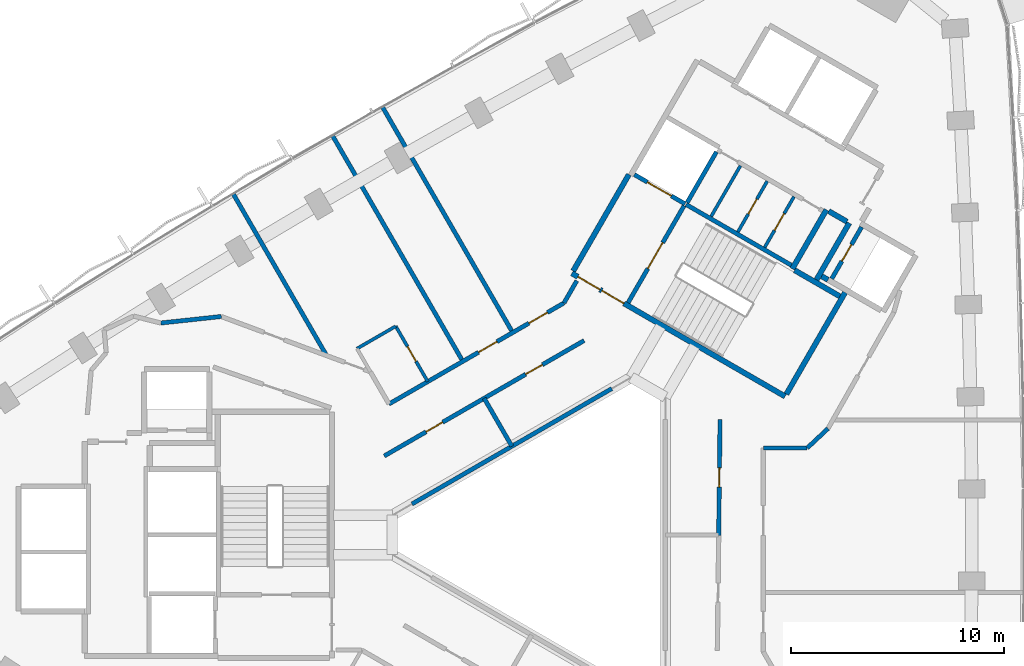
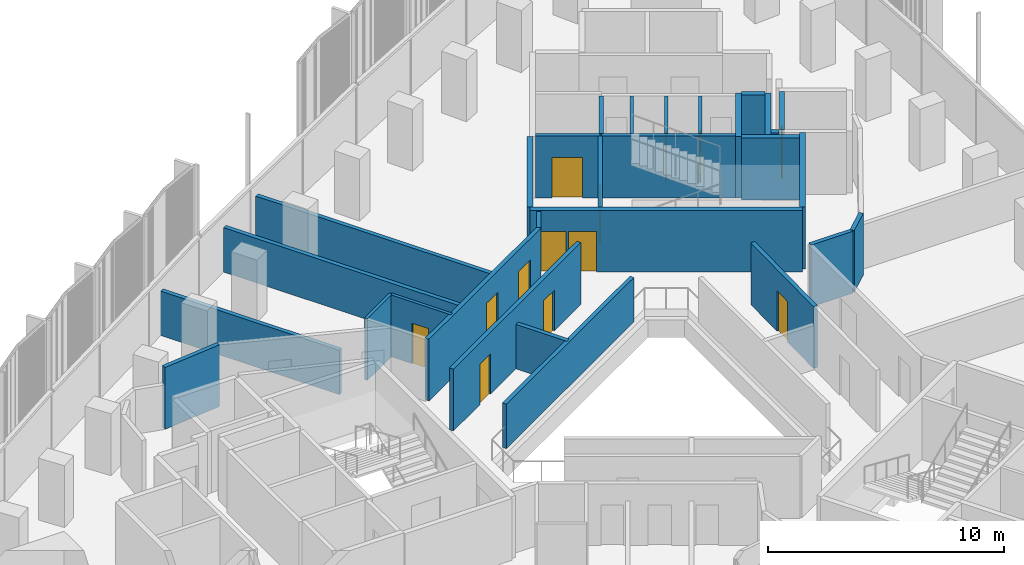
# One storey, part 10 of 14: 30 walls, 13 doors, 13 openings.
"""IFC4 building model written with IfcOpenShell, lengths in metres."""

from ifc_helpers import new_model, si_unit, direction, frame, frame_2d, origin, place, context, subcontext, project, spatial, rectangle, extrude, material, layer, layer_set, type_object, element, fill, save


model = new_model("IFC4")

# Units and contexts
model_context = context("Model", 3, precision=1e-05, world=origin(), true_north=direction((0.0, 1.0)))
body_context = subcontext(model_context, "Body", "Model", "MODEL_VIEW")
ifc_project = project(units=[si_unit("LENGTHUNIT", "METRE"), si_unit("AREAUNIT", "SQUARE_METRE"), si_unit("VOLUMEUNIT", "CUBIC_METRE"), si_unit("PLANEANGLEUNIT", "RADIAN"), si_unit("MASSUNIT", "GRAM", prefix="KILO")], contexts=[model_context])

# Site, building, storey
site_placement = place(None, origin())
site = spatial("IfcSite", under=ifc_project, at=site_placement, CompositionType="ELEMENT")
building_placement = place(site_placement, origin())
building = spatial("IfcBuilding", under=site, at=building_placement, Name="Tamra Quay Hotel Tower", CompositionType="ELEMENT")
storey_placement = place(building_placement, frame((0.0, 0.0, 139.60009765625)))
storey = spatial("IfcBuildingStorey", under=building, at=storey_placement, Name="L34", CompositionType="ELEMENT", Elevation=139.60009765625)

# Wall
ifc_material_1 = material(Name="Concrete M70", Category="concrete")
ifc_layer_1 = layer(ifc_material_1, 0.199951171875)
ifc_layer_set_1 = layer_set([ifc_layer_1], Name="Concrete M70 core wall 200")
wall_type_1 = type_object("IfcWallType", Name="Concrete M70 core wall 200", PredefinedType="SHEAR", material=ifc_layer_set_1)
wall_1_placement = place(storey_placement, frame((5.774658203125, 15.501953125, 0.0), z_axis=(0.0, 0.0, 1.0), x_axis=(0.866020080793, -0.500009219579, 0.0)))
element("IfcWall", 1, at=wall_1_placement, inside=storey, type_object=wall_type_1, Name="CW2", PredefinedType="SHEAR", context=body_context, shape_type="SweptSolid", body=[
    extrude(rectangle(XDim=5.69921875, YDim=0.199951171875, at=frame_2d((2.849609375, 0.0))), origin(), (0.0, 0.0, 1.0), 3.199951171875),
])

# Wall, opening, door
wall_2_placement = place(storey_placement, frame((3.056640625, 10.89453125, 0.0), z_axis=(0.0, 0.0, 1.0), x_axis=(0.499989418164, 0.866031513124, 0.0)))
wall_2 = element("IfcWall", 2, at=wall_2_placement, inside=storey, type_object=wall_type_1, Name="CW2", PredefinedType="SHEAR", context=body_context, shape_type="SweptSolid", body=[
    extrude(rectangle(XDim=5.2509765625, YDim=0.199951171875, at=frame_2d((2.62548828125, 0.0))), origin(), (0.0, 0.0, 1.0), 3.199951171875),
])
opening_1_placement = place(wall_2_placement, frame((1.84912109375, 0.0, 0.0)))
opening_1 = element("IfcOpeningElement", 3, at=opening_1_placement, cuts=wall_2, Name="Opening FD2", PredefinedType="OPENING", context=body_context, shape_type="SweptSolid", body=[
    extrude(rectangle(XDim=1.39990234375, YDim=2.10009765625, at=frame_2d((0.699951171875, 1.050048828125))), frame((0.0, 0.10986328125, 0.0), z_axis=(0.0, -1.0, 0.0), x_axis=(1.0, 0.0, 0.0)), (0.0, 0.0, 1.0), 0.219970703125),
])
ifc_material_2 = material(Name="Core door FD2 1400x2100 RH")
door_type_1 = type_object("IfcDoorType", Name="Core door FD2 1400x2100 RH", OperationType="NOTDEFINED", PredefinedType="DOOR", material=ifc_material_2)
door_1_placement = place(opening_1_placement, origin())
door_1 = element("IfcDoor", 4, at=door_1_placement, inside=storey, type_object=door_type_1, Name="FD2", OperationType="SINGLE_SWING_RIGHT", OverallHeight=2.10009765625, OverallWidth=1.39990234375, PredefinedType="DOOR", context=body_context, shape_type="SweptSolid", body=[
    extrude(rectangle(XDim=1.39990234375, YDim=2.10009765625, at=frame_2d((0.699951171875, 1.050048828125))), frame((0.0, 0.02490234375, 0.0), z_axis=(0.0, -1.0, 0.0), x_axis=(1.0, 0.0, 0.0)), (0.0, 0.0, 1.0), 0.050048828125),
])
fill(opening_1, door_1)

wall_3_placement = place(storey_placement, frame((14.0078125, 14.442138671875, 0.0), z_axis=(0.0, 0.0, 1.0), x_axis=(-0.499986818241, -0.866033014143, 0.0)))
wall_3 = element("IfcWall", 5, at=wall_3_placement, inside=storey, type_object=wall_type_1, Name="CW2", PredefinedType="SHEAR", context=body_context, shape_type="SweptSolid", body=[
    extrude(rectangle(XDim=2.7978515625, YDim=0.199951171875, at=frame_2d((1.39892578125, 0.0))), origin(), (0.0, 0.0, 1.0), 3.199951171875),
])
opening_2_placement = place(wall_3_placement, frame((0.948974609375, 0.0, 0.0)))
opening_2 = element("IfcOpeningElement", 6, at=opening_2_placement, cuts=wall_3, Name="Opening D1", PredefinedType="OPENING", context=body_context, shape_type="SweptSolid", body=[
    extrude(rectangle(XDim=0.89990234375, YDim=2.10009765625, at=frame_2d((0.449951171875, 1.050048828125))), frame((0.0, 0.10986328125, 0.0), z_axis=(0.0, -1.0, 0.0), x_axis=(1.0, 0.0, 0.0)), (0.0, 0.0, 1.0), 0.219970703125),
])
ifc_material_3 = material(Name="Core door D1 900x2100 LH")
door_type_2 = type_object("IfcDoorType", Name="Core door D1 900x2100 LH", OperationType="NOTDEFINED", PredefinedType="DOOR", material=ifc_material_3)
door_2_placement = place(opening_2_placement, origin())
door_2 = element("IfcDoor", 7, at=door_2_placement, inside=storey, type_object=door_type_2, Name="D1", OperationType="SINGLE_SWING_LEFT", OverallHeight=2.10009765625, OverallWidth=0.89990234375, PredefinedType="DOOR", context=body_context, shape_type="SweptSolid", body=[
    extrude(rectangle(XDim=0.89990234375, YDim=2.10009765625, at=frame_2d((0.449951171875, 1.050048828125))), frame((0.0, 0.02490234375, 0.0), z_axis=(0.0, -1.0, 0.0), x_axis=(1.0, 0.0, 0.0)), (0.0, 0.0, 1.0), 0.050048828125),
])
fill(opening_2, door_2)

# Wall
wall_4_placement = place(storey_placement, frame((7.199462890625, 17.969970703125, 0.0), z_axis=(0.0, 0.0, 1.0), x_axis=(-0.499968400327, -0.866043647095, 0.0)))
element("IfcWall", 8, at=wall_4_placement, inside=storey, type_object=wall_type_1, Name="CW2", PredefinedType="SHEAR", context=body_context, shape_type="SweptSolid", body=[
    extrude(rectangle(XDim=2.749755859375, YDim=0.199951171875, at=frame_2d((1.375, 0.0))), origin(), (0.0, 0.0, 1.0), 3.199951171875),
])

# Wall, opening, door
wall_5_placement = place(storey_placement, frame((5.72509765625, 15.530517578125, 0.0), z_axis=(0.0, 0.0, 1.0), x_axis=(-0.866037306777, 0.499979382845, 0.0)))
wall_5 = element("IfcWall", 9, at=wall_5_placement, inside=storey, type_object=wall_type_1, Name="CW2", PredefinedType="SHEAR", context=body_context, shape_type="SweptSolid", body=[
    extrude(rectangle(XDim=2.74169921875, YDim=0.199951171875, at=frame_2d((1.370849609375, 0.0))), origin(), (0.0, 0.0, 1.0), 3.199951171875),
])
opening_3_placement = place(wall_5_placement, frame((0.742919921875, 0.0, 0.0)))
opening_3 = element("IfcOpeningElement", 10, at=opening_3_placement, cuts=wall_5, Name="Opening LD", PredefinedType="OPENING", context=body_context, shape_type="SweptSolid", body=[
    extrude(rectangle(XDim=1.300048828125, YDim=2.10009765625, at=frame_2d((0.64990234375, 1.050048828125))), frame((0.0, 0.10986328125, 0.0), z_axis=(0.0, -1.0, 0.0), x_axis=(1.0, 0.0, 0.0)), (0.0, 0.0, 1.0), 0.219970703125),
])
ifc_material_4 = material(Name="Landing door LD 1300 sliding to right")
door_type_3 = type_object("IfcDoorType", Name="Landing door LD 1300 sliding to right", OperationType="NOTDEFINED", PredefinedType="DOOR", material=ifc_material_4)
door_3_placement = place(opening_3_placement, origin())
door_3 = element("IfcDoor", 11, at=door_3_placement, inside=storey, type_object=door_type_3, Name="LD", OperationType="SLIDING_TO_RIGHT", OverallHeight=2.10009765625, OverallWidth=1.300048828125, PredefinedType="DOOR", context=body_context, shape_type="SweptSolid", body=[
    extrude(rectangle(XDim=1.300048828125, YDim=2.10009765625, at=frame_2d((0.64990234375, 1.050048828125))), frame((0.0, 0.02490234375, 0.0), z_axis=(0.0, -1.0, 0.0), x_axis=(1.0, 0.0, 0.0)), (0.0, 0.0, 1.0), 0.050048828125),
])
fill(opening_3, door_3)

# Wall, openings, doors
ifc_layer_2 = layer(ifc_material_1, 0.25)
ifc_layer_set_2 = layer_set([ifc_layer_2], Name="Concrete M70 core wall 250")
wall_type_2 = type_object("IfcWallType", Name="Concrete M70 core wall 250", PredefinedType="SHEAR", material=ifc_layer_set_2)
wall_6_placement = place(storey_placement, frame((10.419921875, 6.497802734375, 0.0), z_axis=(0.0, 0.0, 1.0), x_axis=(-0.866021906294, 0.500006057782, 0.0)))
wall_6 = element("IfcWall", 12, at=wall_6_placement, inside=storey, type_object=wall_type_2, Name="CW1", PredefinedType="SHEAR", context=body_context, shape_type="SweptSolid", body=[
    extrude(rectangle(XDim=11.550048828125, YDim=0.25, at=frame_2d((5.77490234375, 0.0))), origin(), (0.0, 0.0, 1.0), 3.199951171875),
])
opening_4_placement = place(wall_6_placement, frame((10.02490234375, 0.0, 0.0)))
opening_4 = element("IfcOpeningElement", 13, at=opening_4_placement, cuts=wall_6, Name="Opening FD1", PredefinedType="OPENING", context=body_context, shape_type="SweptSolid", body=[
    extrude(rectangle(XDim=1.199951171875, YDim=2.10009765625, at=frame_2d((0.60009765625, 1.050048828125))), frame((0.0, 0.135009765625, 0.0), z_axis=(0.0, -1.0, 0.0), x_axis=(1.0, 0.0, 0.0)), (0.0, 0.0, 1.0), 0.27001953125),
])
opening_5_placement = place(wall_6_placement, frame((8.724853515625, 0.0, 0.0)))
opening_5 = element("IfcOpeningElement", 14, at=opening_5_placement, cuts=wall_6, Name="Opening FD1", PredefinedType="OPENING", context=body_context, shape_type="SweptSolid", body=[
    extrude(rectangle(XDim=1.199951171875, YDim=2.10009765625, at=frame_2d((0.60009765625, 1.050048828125))), frame((0.0, 0.135009765625, 0.0), z_axis=(0.0, -1.0, 0.0), x_axis=(1.0, 0.0, 0.0)), (0.0, 0.0, 1.0), 0.27001953125),
])
ifc_material_5 = material(Name="Core door FD1 1200x2100 LH")
door_type_4 = type_object("IfcDoorType", Name="Core door FD1 1200x2100 LH", OperationType="NOTDEFINED", PredefinedType="DOOR", material=ifc_material_5)
door_4_placement = place(opening_4_placement, origin())
door_4 = element("IfcDoor", 15, at=door_4_placement, inside=storey, type_object=door_type_4, Name="FD1", OperationType="SINGLE_SWING_LEFT", OverallHeight=2.10009765625, OverallWidth=1.199951171875, PredefinedType="DOOR", context=body_context, shape_type="SweptSolid", body=[
    extrude(rectangle(XDim=1.199951171875, YDim=2.10009765625, at=frame_2d((0.60009765625, 1.050048828125))), frame((0.0, 0.02490234375, 0.0), z_axis=(0.0, -1.0, 0.0), x_axis=(1.0, 0.0, 0.0)), (0.0, 0.0, 1.0), 0.050048828125),
])
fill(opening_4, door_4)
ifc_material_6 = material(Name="Core door FD1 1200x2100 RH")
door_type_5 = type_object("IfcDoorType", Name="Core door FD1 1200x2100 RH", OperationType="NOTDEFINED", PredefinedType="DOOR", material=ifc_material_6)
door_5_placement = place(opening_5_placement, origin())
door_5 = element("IfcDoor", 16, at=door_5_placement, inside=storey, type_object=door_type_5, Name="FD1", OperationType="SINGLE_SWING_RIGHT", OverallHeight=2.10009765625, OverallWidth=1.199951171875, PredefinedType="DOOR", context=body_context, shape_type="SweptSolid", body=[
    extrude(rectangle(XDim=1.199951171875, YDim=2.10009765625, at=frame_2d((0.60009765625, 1.050048828125))), frame((0.0, 0.02490234375, 0.0), z_axis=(0.0, -1.0, 0.0), x_axis=(1.0, 0.0, 0.0)), (0.0, 0.0, 1.0), 0.050048828125),
])
fill(opening_5, door_5)

# Walls
wall_7_placement = place(storey_placement, frame((0.47998046875, 12.38134765625, 0.0), z_axis=(0.0, 0.0, 1.0), x_axis=(0.49999885962, 0.866026062182, 0.0)))
element("IfcWall", 17, at=wall_7_placement, inside=storey, type_object=wall_type_2, Name="CW1", PredefinedType="SHEAR", context=body_context, shape_type="SweptSolid", body=[
    extrude(rectangle(XDim=5.224609375, YDim=0.25, at=frame_2d((2.6123046875, 0.0))), origin(), (0.0, 0.0, 1.0), 3.199951171875),
])
wall_8_placement = place(storey_placement, frame((13.237548828125, 11.3779296875, 0.0), z_axis=(0.0, 0.0, 1.0), x_axis=(-0.500008851346, -0.866020293397, 0.0)))
element("IfcWall", 18, at=wall_8_placement, inside=storey, type_object=wall_type_2, Name="CW1", PredefinedType="SHEAR", context=body_context, shape_type="SweptSolid", body=[
    extrude(rectangle(XDim=5.509765625, YDim=0.25, at=frame_2d((2.7548828125, 0.0))), origin(), (0.0, 0.0, 1.0), 3.199951171875),
])
wall_9_placement = place(storey_placement, frame((12.356689453125, 15.25244140625, 0.0), z_axis=(0.0, 0.0, 1.0), x_axis=(-0.500028443584, -0.866008981251, 0.0)))
element("IfcWall", 19, at=wall_9_placement, inside=storey, type_object=wall_type_2, Name="CW1", PredefinedType="SHEAR", context=body_context, shape_type="SweptSolid", body=[
    extrude(rectangle(XDim=3.199951171875, YDim=0.25, at=frame_2d((1.60009765625, 0.0))), origin(), (0.0, 0.0, 1.0), 3.199951171875),
])
wall_10_placement = place(storey_placement, frame((11.887939453125, 11.960693359375, 0.0), z_axis=(0.0, 0.0, 1.0), x_axis=(0.500003324108, 0.866023484601, 0.0)))
element("IfcWall", 20, at=wall_10_placement, inside=storey, type_object=wall_type_2, Name="CW1", PredefinedType="SHEAR", context=body_context, shape_type="SweptSolid", body=[
    extrude(rectangle(XDim=3.0849609375, YDim=0.25, at=frame_2d((1.54248046875, 0.0))), origin(), (0.0, 0.0, 1.0), 3.199951171875),
])
wall_11_placement = place(storey_placement, frame((10.865234375, 12.41845703125, 0.0), z_axis=(0.0, 0.0, 1.0), x_axis=(0.866026229868, -0.499998569178, 0.0)))
element("IfcWall", 21, at=wall_11_placement, inside=storey, type_object=wall_type_2, Name="CW1", PredefinedType="SHEAR", context=body_context, shape_type="SweptSolid", body=[
    extrude(rectangle(XDim=2.44921875, YDim=0.25, at=frame_2d((1.224609375, 0.0))), origin(), (0.0, 0.0, 1.0), 3.199951171875),
])
wall_12_placement = place(storey_placement, frame((13.322021484375, 14.695068359375, 0.0), z_axis=(0.0, 0.0, 1.0), x_axis=(-0.866017078145, 0.500014420154, 0.0)))
element("IfcWall", 22, at=wall_12_placement, inside=storey, type_object=wall_type_2, Name="CW1", PredefinedType="SHEAR", context=body_context, shape_type="SweptSolid", body=[
    extrude(rectangle(XDim=0.9892578125, YDim=0.25, at=frame_2d((0.49462890625, 0.0))), origin(), (0.0, 0.0, 1.0), 3.199951171875),
])
wall_13_placement = place(storey_placement, frame((12.4326171875, 11.9638671875, 0.0), z_axis=(0.0, 0.0, 1.0), x_axis=(-0.866055875208, 0.499947218231, 0.0)))
element("IfcWall", 23, at=wall_13_placement, inside=storey, type_object=wall_type_2, Name="CW1", PredefinedType="SHEAR", context=body_context, shape_type="SweptSolid", body=[
    extrude(rectangle(XDim=0.3447265625, YDim=0.25, at=frame_2d((0.17236328125, 0.0))), origin(), (0.0, 0.0, 1.0), 3.199951171875),
])

# Wall, opening, door
ifc_material_7 = material(Name="Blockwork", Category="masonry")
ifc_layer_3 = layer(ifc_material_7, 0.14990234375)
ifc_layer_set_3 = layer_set([ifc_layer_3], Name="Core partition block 150")
wall_type_3 = type_object("IfcWallType", Name="Core partition block 150", PredefinedType="PARTITIONING", material=ifc_layer_set_3)
wall_14_placement = place(storey_placement, frame((9.462158203125, 13.4892578125, 0.0), z_axis=(0.0, 0.0, 1.0), x_axis=(0.50002746344, 0.86600954718, 0.0)))
wall_14 = element("IfcWall", 24, at=wall_14_placement, inside=storey, type_object=wall_type_3, Name="CP1", PredefinedType="PARTITIONING", context=body_context, shape_type="SweptSolid", body=[
    extrude(rectangle(XDim=2.748291015625, YDim=0.14990234375, at=frame_2d((1.3740234375, 0.0))), origin(), (0.0, 0.0, 1.0), 3.199951171875),
])
opening_6_placement = place(wall_14_placement, frame((0.92431640625, 0.0, 0.0)))
opening_6 = element("IfcOpeningElement", 25, at=opening_6_placement, cuts=wall_14, Name="Opening D2", PredefinedType="OPENING", context=body_context, shape_type="SweptSolid", body=[
    extrude(rectangle(XDim=0.89990234375, YDim=2.10009765625, at=frame_2d((0.449951171875, 1.050048828125))), frame((0.0, 0.0849609375, 0.0), z_axis=(0.0, -1.0, 0.0), x_axis=(1.0, 0.0, 0.0)), (0.0, 0.0, 1.0), 0.169921875),
])
ifc_material_8 = material(Name="Core door D2 900x2100 RH")
door_type_6 = type_object("IfcDoorType", Name="Core door D2 900x2100 RH", OperationType="NOTDEFINED", PredefinedType="DOOR", material=ifc_material_8)
door_6_placement = place(opening_6_placement, origin())
door_6 = element("IfcDoor", 26, at=door_6_placement, inside=storey, type_object=door_type_6, Name="D2", OperationType="SINGLE_SWING_RIGHT", OverallHeight=2.10009765625, OverallWidth=0.89990234375, PredefinedType="DOOR", context=body_context, shape_type="SweptSolid", body=[
    extrude(rectangle(XDim=0.89990234375, YDim=2.10009765625, at=frame_2d((0.449951171875, 1.050048828125))), frame((0.0, 0.02490234375, 0.0), z_axis=(0.0, -1.0, 0.0), x_axis=(1.0, 0.0, 0.0)), (0.0, 0.0, 1.0), 0.050048828125),
])
fill(opening_6, door_6)

wall_15_placement = place(storey_placement, frame((8.20654296875, 14.214111328125, 0.0), z_axis=(0.0, 0.0, 1.0), x_axis=(0.499922376475, 0.866070215109, 0.0)))
wall_15 = element("IfcWall", 27, at=wall_15_placement, inside=storey, type_object=wall_type_3, Name="CP1", PredefinedType="PARTITIONING", context=body_context, shape_type="SweptSolid", body=[
    extrude(rectangle(XDim=2.74853515625, YDim=0.14990234375, at=frame_2d((1.374267578125, 0.0))), origin(), (0.0, 0.0, 1.0), 3.199951171875),
])
opening_7_placement = place(wall_15_placement, frame((0.97412109375, 0.0, 0.0)))
opening_7 = element("IfcOpeningElement", 28, at=opening_7_placement, cuts=wall_15, Name="Opening D3", PredefinedType="OPENING", context=body_context, shape_type="SweptSolid", body=[
    extrude(rectangle(XDim=0.800048828125, YDim=2.10009765625, at=frame_2d((0.39990234375, 1.050048828125))), frame((0.0, 0.0849609375, 0.0), z_axis=(0.0, -1.0, 0.0), x_axis=(1.0, 0.0, 0.0)), (0.0, 0.0, 1.0), 0.169921875),
])
ifc_material_9 = material(Name="Core door D3 800x2100 LH")
door_type_7 = type_object("IfcDoorType", Name="Core door D3 800x2100 LH", OperationType="NOTDEFINED", PredefinedType="DOOR", material=ifc_material_9)
door_7_placement = place(opening_7_placement, origin())
door_7 = element("IfcDoor", 29, at=door_7_placement, inside=storey, type_object=door_type_7, Name="D3", OperationType="SINGLE_SWING_LEFT", OverallHeight=2.10009765625, OverallWidth=0.800048828125, PredefinedType="DOOR", context=body_context, shape_type="SweptSolid", body=[
    extrude(rectangle(XDim=0.800048828125, YDim=2.10009765625, at=frame_2d((0.39990234375, 1.050048828125))), frame((0.0, 0.02490234375, 0.0), z_axis=(0.0, -1.0, 0.0), x_axis=(1.0, 0.0, 0.0)), (0.0, 0.0, 1.0), 0.050048828125),
])
fill(opening_7, door_7)

# Walls
wall_16_placement = place(storey_placement, frame((6.95068359375, 14.939208984375, 0.0), z_axis=(0.0, 0.0, 1.0), x_axis=(0.50002746344, 0.86600954718, 0.0)))
element("IfcWall", 30, at=wall_16_placement, inside=storey, type_object=wall_type_3, Name="CP1", PredefinedType="PARTITIONING", context=body_context, shape_type="SweptSolid", body=[
    extrude(rectangle(XDim=2.748291015625, YDim=0.14990234375, at=frame_2d((1.3740234375, 0.0))), origin(), (0.0, 0.0, 1.0), 3.199951171875),
])
ifc_material_10 = material(Name="Partition corridor wall")
ifc_layer_4 = layer(ifc_material_10, 0.199951171875)
ifc_layer_set_4 = layer_set([ifc_layer_4], Name="Partition corridor wall")
wall_type_4 = type_object("IfcWallType", Name="Partition corridor wall", PredefinedType="PARTITIONING", material=ifc_layer_set_4)
wall_17_placement = place(storey_placement, frame((-18.864990234375, 9.94091796875, 0.0), z_axis=(0.0, 0.0, 1.0), x_axis=(0.99423123086, 0.107257911519, 0.0)))
element("IfcWall", 31, at=wall_17_placement, inside=storey, type_object=wall_type_4, Name="W-C", PredefinedType="PARTITIONING", context=body_context, shape_type="SweptSolid", body=[
    extrude(rectangle(XDim=2.854248046875, YDim=0.199951171875, at=frame_2d((1.42724609375, 0.0))), origin(), (0.0, 0.0, 1.0), 3.199951171875),
])

# Wall, openings, doors
wall_18_placement = place(storey_placement, frame((-8.382080078125, 3.705078125, 0.0), z_axis=(0.0, 0.0, 1.0), x_axis=(0.866012036978, 0.500023151273, 0.0)))
wall_18 = element("IfcWall", 32, at=wall_18_placement, inside=storey, type_object=wall_type_4, Name="W-C", PredefinedType="PARTITIONING", context=body_context, shape_type="SweptSolid", body=[
    extrude(rectangle(XDim=10.8232421875, YDim=0.199951171875, at=frame_2d((5.41162109375, 0.0))), origin(), (0.0, 0.0, 1.0), 3.199951171875),
])
opening_8_placement = place(wall_18_placement, frame((7.661376953125, 0.0, 0.0)))
opening_8 = element("IfcOpeningElement", 33, at=opening_8_placement, cuts=wall_18, Name="Opening L34-D020", PredefinedType="OPENING", context=body_context, shape_type="SweptSolid", body=[
    extrude(rectangle(XDim=0.89990234375, YDim=2.10009765625, at=frame_2d((0.449951171875, 1.050048828125))), frame((0.0, 0.10986328125, 0.0), z_axis=(0.0, -1.0, 0.0), x_axis=(1.0, 0.0, 0.0)), (0.0, 0.0, 1.0), 0.219970703125),
])
opening_9_placement = place(wall_18_placement, frame((2.261474609375, 0.0, 0.0)))
opening_9 = element("IfcOpeningElement", 34, at=opening_9_placement, cuts=wall_18, Name="Opening L34-D021", PredefinedType="OPENING", context=body_context, shape_type="SweptSolid", body=[
    extrude(rectangle(XDim=0.89990234375, YDim=2.10009765625, at=frame_2d((0.449951171875, 1.050048828125))), frame((0.0, 0.10986328125, 0.0), z_axis=(0.0, -1.0, 0.0), x_axis=(1.0, 0.0, 0.0)), (0.0, 0.0, 1.0), 0.219970703125),
])
ifc_material_11 = material(Name="Door service room 900x2100")
door_type_8 = type_object("IfcDoorType", Name="Door service room 900x2100", OperationType="NOTDEFINED", PredefinedType="DOOR", material=ifc_material_11)
door_8_placement = place(opening_8_placement, frame((0.89990234375, 0.0, 0.0), z_axis=(0.0, 0.0, 1.0), x_axis=(-1.0, 0.0, 0.0)))
door_8 = element("IfcDoor", 35, at=door_8_placement, inside=storey, type_object=door_type_8, Name="L34-D020", OperationType="SINGLE_SWING_LEFT", OverallHeight=2.10009765625, OverallWidth=0.89990234375, PredefinedType="DOOR", context=body_context, shape_type="SweptSolid", body=[
    extrude(rectangle(XDim=0.89990234375, YDim=2.10009765625, at=frame_2d((0.449951171875, 1.050048828125))), frame((0.0, 0.02490234375, 0.0), z_axis=(0.0, -1.0, 0.0), x_axis=(1.0, 0.0, 0.0)), (0.0, 0.0, 1.0), 0.050048828125),
])
fill(opening_8, door_8)
door_9_placement = place(opening_9_placement, frame((0.89990234375, 0.0, 0.0), z_axis=(0.0, 0.0, 1.0), x_axis=(-1.0, 0.0, 0.0)))
door_9 = element("IfcDoor", 36, at=door_9_placement, inside=storey, type_object=door_type_8, Name="L34-D021", OperationType="SINGLE_SWING_LEFT", OverallHeight=2.10009765625, OverallWidth=0.89990234375, PredefinedType="DOOR", context=body_context, shape_type="SweptSolid", body=[
    extrude(rectangle(XDim=0.89990234375, YDim=2.10009765625, at=frame_2d((0.449951171875, 1.050048828125))), frame((0.0, 0.02490234375, 0.0), z_axis=(0.0, -1.0, 0.0), x_axis=(1.0, 0.0, 0.0)), (0.0, 0.0, 1.0), 0.050048828125),
])
fill(opening_9, door_9)

wall_19_placement = place(storey_placement, frame((-8.16064453125, 6.1416015625, 0.0), z_axis=(0.0, 0.0, 1.0), x_axis=(0.865927304867, 0.500169873828, 0.0)))
wall_19 = element("IfcWall", 37, at=wall_19_placement, inside=storey, type_object=wall_type_4, Name="W-C", PredefinedType="PARTITIONING", context=body_context, shape_type="SweptSolid", body=[
    extrude(rectangle(XDim=9.477783203125, YDim=0.199951171875, at=frame_2d((4.73876953125, 0.0))), origin(), (0.0, 0.0, 1.0), 3.199951171875),
])
opening_10_placement = place(wall_19_placement, frame((4.851318359375, 0.0, 0.0)))
opening_10 = element("IfcOpeningElement", 38, at=opening_10_placement, cuts=wall_19, Name="Opening L34-D004", PredefinedType="OPENING", context=body_context, shape_type="SweptSolid", body=[
    extrude(rectangle(XDim=1.0, YDim=2.10009765625, at=frame_2d((0.5, 1.050048828125))), frame((0.0, 0.10986328125, 0.0), z_axis=(0.0, -1.0, 0.0), x_axis=(1.0, 0.0, 0.0)), (0.0, 0.0, 1.0), 0.219970703125),
])
opening_11_placement = place(wall_19_placement, frame((7.58349609375, 0.0, 0.0)))
opening_11 = element("IfcOpeningElement", 39, at=opening_11_placement, cuts=wall_19, Name="Opening L34-D005", PredefinedType="OPENING", context=body_context, shape_type="SweptSolid", body=[
    extrude(rectangle(XDim=1.0, YDim=2.10009765625, at=frame_2d((0.5, 1.050048828125))), frame((0.0, 0.10986328125, 0.0), z_axis=(0.0, -1.0, 0.0), x_axis=(1.0, 0.0, 0.0)), (0.0, 0.0, 1.0), 0.219970703125),
])
ifc_material_12 = material(Name="Door guest room 1000x2100")
door_type_9 = type_object("IfcDoorType", Name="Door guest room 1000x2100", OperationType="NOTDEFINED", PredefinedType="DOOR", material=ifc_material_12)
door_10_placement = place(opening_10_placement, origin())
door_10 = element("IfcDoor", 40, at=door_10_placement, inside=storey, type_object=door_type_9, Name="L34-D004", OperationType="SINGLE_SWING_LEFT", OverallHeight=2.10009765625, OverallWidth=1.0, PredefinedType="DOOR", context=body_context, shape_type="SweptSolid", body=[
    extrude(rectangle(XDim=1.0, YDim=2.10009765625, at=frame_2d((0.5, 1.050048828125))), frame((0.0, 0.02490234375, 0.0), z_axis=(0.0, -1.0, 0.0), x_axis=(1.0, 0.0, 0.0)), (0.0, 0.0, 1.0), 0.050048828125),
])
fill(opening_10, door_10)
door_11_placement = place(opening_11_placement, origin())
door_11 = element("IfcDoor", 41, at=door_11_placement, inside=storey, type_object=door_type_9, Name="L34-D005", OperationType="SINGLE_SWING_LEFT", OverallHeight=2.10009765625, OverallWidth=1.0, PredefinedType="DOOR", context=body_context, shape_type="SweptSolid", body=[
    extrude(rectangle(XDim=1.0, YDim=2.10009765625, at=frame_2d((0.5, 1.050048828125))), frame((0.0, 0.02490234375, 0.0), z_axis=(0.0, -1.0, 0.0), x_axis=(1.0, 0.0, 0.0)), (0.0, 0.0, 1.0), 0.050048828125),
])
fill(opening_11, door_11)

# Wall
wall_20_placement = place(storey_placement, frame((0.047119140625, 10.881103515625, 0.0), z_axis=(0.0, 0.0, 1.0), x_axis=(0.500038011057, 0.866003456978, 0.0)))
element("IfcWall", 42, at=wall_20_placement, inside=storey, type_object=wall_type_4, Name="W-C", PredefinedType="PARTITIONING", context=body_context, shape_type="SweptSolid", body=[
    extrude(rectangle(XDim=1.20556640625, YDim=0.199951171875, at=frame_2d((0.602783203125, 0.0))), origin(), (0.0, 0.0, 1.0), 3.199951171875),
])

# Wall, opening, door
wall_21_placement = place(storey_placement, frame((7.304931640625, -0.01708984375, 0.0), z_axis=(0.0, 0.0, 1.0), x_axis=(0.01179195138, 0.999930472524, 0.0)))
wall_21 = element("IfcWall", 43, at=wall_21_placement, inside=storey, type_object=wall_type_4, Name="W-C", PredefinedType="PARTITIONING", context=body_context, shape_type="SweptSolid", body=[
    extrude(rectangle(XDim=5.424560546875, YDim=0.199951171875, at=frame_2d((2.71240234375, 0.0))), origin(), (0.0, 0.0, 1.0), 3.199951171875),
])
opening_12_placement = place(wall_21_placement, frame((2.26220703125, 0.0, 0.0)))
opening_12 = element("IfcOpeningElement", 44, at=opening_12_placement, cuts=wall_21, Name="Opening L34-D019", PredefinedType="OPENING", context=body_context, shape_type="SweptSolid", body=[
    extrude(rectangle(XDim=0.89990234375, YDim=2.10009765625, at=frame_2d((0.449951171875, 1.050048828125))), frame((0.0, 0.10986328125, 0.0), z_axis=(0.0, -1.0, 0.0), x_axis=(1.0, 0.0, 0.0)), (0.0, 0.0, 1.0), 0.219970703125),
])
door_12_placement = place(opening_12_placement, origin())
door_12 = element("IfcDoor", 45, at=door_12_placement, inside=storey, type_object=door_type_8, Name="L34-D019", OperationType="SINGLE_SWING_LEFT", OverallHeight=2.10009765625, OverallWidth=0.89990234375, PredefinedType="DOOR", context=body_context, shape_type="SweptSolid", body=[
    extrude(rectangle(XDim=0.89990234375, YDim=2.10009765625, at=frame_2d((0.449951171875, 1.050048828125))), frame((0.0, 0.02490234375, 0.0), z_axis=(0.0, -1.0, 0.0), x_axis=(1.0, 0.0, 0.0)), (0.0, 0.0, 1.0), 0.050048828125),
])
fill(opening_12, door_12)

# Walls
wall_22_placement = place(storey_placement, frame((9.39990234375, 4.077880859375, 0.0), z_axis=(0.0, 0.0, 1.0), x_axis=(1.0, 0.0, 0.0)))
element("IfcWall", 46, at=wall_22_placement, inside=storey, type_object=wall_type_4, Name="W-C", PredefinedType="PARTITIONING", context=body_context, shape_type="SweptSolid", body=[
    extrude(rectangle(XDim=2.05712890625, YDim=0.199951171875, at=frame_2d((1.028564453125, 0.0))), origin(), (0.0, 0.0, 1.0), 3.199951171875),
])
wall_23_placement = place(storey_placement, frame((11.4580078125, 4.077880859375, 0.0), z_axis=(0.0, 0.0, 1.0), x_axis=(0.729936032318, 0.683515463412, 0.0)))
element("IfcWall", 47, at=wall_23_placement, inside=storey, type_object=wall_type_4, Name="W-C", PredefinedType="PARTITIONING", context=body_context, shape_type="SweptSolid", body=[
    extrude(rectangle(XDim=1.3359375, YDim=0.199951171875, at=frame_2d((0.66796875, 0.0))), origin(), (0.0, 0.0, 1.0), 3.199951171875),
])
ifc_material_13 = material(Name="Partition en-suite wall")
ifc_layer_5 = layer(ifc_material_13, 0.14990234375)
ifc_layer_set_5 = layer_set([ifc_layer_5], Name="Partition en-suite wall")
wall_type_5 = type_object("IfcWallType", Name="Partition en-suite wall", PredefinedType="PARTITIONING", material=ifc_layer_set_5)
wall_24_placement = place(storey_placement, frame((-9.660888671875, 8.739990234375, 0.0), z_axis=(0.0, 0.0, 1.0), x_axis=(0.865922159541, 0.500178781653, 0.0)))
element("IfcWall", 48, at=wall_24_placement, inside=storey, type_object=wall_type_5, Name="W-E", PredefinedType="PARTITIONING", context=body_context, shape_type="SweptSolid", body=[
    extrude(rectangle(XDim=2.099365234375, YDim=0.14990234375, at=frame_2d((1.0498046875, 0.0))), origin(), (0.0, 0.0, 1.0), 3.199951171875),
])

# Wall, opening, door
wall_25_placement = place(storey_placement, frame((-7.843017578125, 9.7900390625, 0.0), z_axis=(0.0, 0.0, 1.0), x_axis=(0.500234218456, -0.865890135459, 0.0)))
wall_25 = element("IfcWall", 49, at=wall_25_placement, inside=storey, type_object=wall_type_5, Name="W-E", PredefinedType="PARTITIONING", context=body_context, shape_type="SweptSolid", body=[
    extrude(rectangle(XDim=3.00048828125, YDim=0.14990234375, at=frame_2d((1.500244140625, 0.0))), origin(), (0.0, 0.0, 1.0), 3.199951171875),
])
opening_13_placement = place(wall_25_placement, frame((1.10009765625, 0.0, 0.0)))
opening_13 = element("IfcOpeningElement", 50, at=opening_13_placement, cuts=wall_25, Name="Opening L34-D007", PredefinedType="OPENING", context=body_context, shape_type="SweptSolid", body=[
    extrude(rectangle(XDim=0.800048828125, YDim=2.10009765625, at=frame_2d((0.39990234375, 1.050048828125))), frame((0.0, 0.0849609375, 0.0), z_axis=(0.0, -1.0, 0.0), x_axis=(1.0, 0.0, 0.0)), (0.0, 0.0, 1.0), 0.169921875),
])
ifc_material_14 = material(Name="Door en-suite 800x2100")
door_type_10 = type_object("IfcDoorType", Name="Door en-suite 800x2100", OperationType="NOTDEFINED", PredefinedType="DOOR", material=ifc_material_14)
door_13_placement = place(opening_13_placement, frame((0.800048828125, 0.0, 0.0), z_axis=(0.0, 0.0, 1.0), x_axis=(-1.0, 0.0, 0.0)))
door_13 = element("IfcDoor", 51, at=door_13_placement, inside=storey, type_object=door_type_10, Name="L34-D007", OperationType="SINGLE_SWING_LEFT", OverallHeight=2.10009765625, OverallWidth=0.800048828125, PredefinedType="DOOR", context=body_context, shape_type="SweptSolid", body=[
    extrude(rectangle(XDim=0.800048828125, YDim=2.10009765625, at=frame_2d((0.39990234375, 1.050048828125))), frame((0.0, 0.02490234375, 0.0), z_axis=(0.0, -1.0, 0.0), x_axis=(1.0, 0.0, 0.0)), (0.0, 0.0, 1.0), 0.050048828125),
])
fill(opening_13, door_13)

# Walls
ifc_material_15 = material(Name="Partition party wall")
ifc_layer_6 = layer(ifc_material_15, 0.199951171875)
ifc_layer_set_6 = layer_set([ifc_layer_6], Name="Partition party wall")
wall_type_6 = type_object("IfcWallType", Name="Partition party wall", PredefinedType="PARTITIONING", material=ifc_layer_set_6)
wall_26_placement = place(storey_placement, frame((-15.466552734375, 15.998046875, 0.0), z_axis=(0.0, 0.0, 1.0), x_axis=(0.500003998589, -0.866023095186, 0.0)))
element("IfcWall", 52, at=wall_26_placement, inside=storey, type_object=wall_type_6, Name="W-P", PredefinedType="PARTITIONING", context=body_context, shape_type="SweptSolid", body=[
    extrude(rectangle(XDim=8.75732421875, YDim=0.199951171875, at=frame_2d((4.378662109375, 0.0))), origin(), (0.0, 0.0, 1.0), 2.2998046875),
])
wall_27_placement = place(storey_placement, frame((-10.809326171875, 18.7314453125, 0.0), z_axis=(0.0, 0.0, 1.0), x_axis=(0.500004774777, -0.866022647048, 0.0)))
element("IfcWall", 53, at=wall_27_placement, inside=storey, type_object=wall_type_6, Name="W-P", PredefinedType="PARTITIONING", context=body_context, shape_type="SweptSolid", body=[
    extrude(rectangle(XDim=12.2265625, YDim=0.199951171875, at=frame_2d((6.11328125, 0.0))), origin(), (0.0, 0.0, 1.0), 2.2998046875),
])
wall_28_placement = place(storey_placement, frame((-8.467529296875, 20.076171875, 0.0), z_axis=(0.0, 0.0, 1.0), x_axis=(0.499961688474, -0.866047521824, 0.0)))
element("IfcWall", 54, at=wall_28_placement, inside=storey, type_object=wall_type_6, Name="W-P", PredefinedType="PARTITIONING", context=body_context, shape_type="SweptSolid", body=[
    extrude(rectangle(XDim=12.22021484375, YDim=0.199951171875, at=frame_2d((6.110107421875, 0.0))), origin(), (0.0, 0.0, 1.0), 2.2998046875),
])
wall_29_placement = place(storey_placement, frame((-7.08154296875, 1.453369140625, 0.0), z_axis=(0.0, 0.0, 1.0), x_axis=(0.866010525116, 0.500025769724, 0.0)))
element("IfcWall", 55, at=wall_29_placement, inside=storey, type_object=wall_type_6, Name="W-P", PredefinedType="PARTITIONING", context=body_context, shape_type="SweptSolid", body=[
    extrude(rectangle(XDim=10.82275390625, YDim=0.199951171875, at=frame_2d((5.411376953125, 0.0))), origin(), (0.0, 0.0, 1.0), 2.2998046875),
])
wall_30_placement = place(storey_placement, frame((-3.696044921875, 6.410888671875, 0.0), z_axis=(0.0, 0.0, 1.0), x_axis=(0.500006934395, -0.866021400173, 0.0)))
element("IfcWall", 56, at=wall_30_placement, inside=storey, type_object=wall_type_6, Name="W-P", PredefinedType="PARTITIONING", context=body_context, shape_type="SweptSolid", body=[
    extrude(rectangle(XDim=2.60009765625, YDim=0.199951171875, at=frame_2d((1.300048828125, 0.0))), origin(), (0.0, 0.0, 1.0), 2.2998046875),
])

save(model, "model.ifc")
